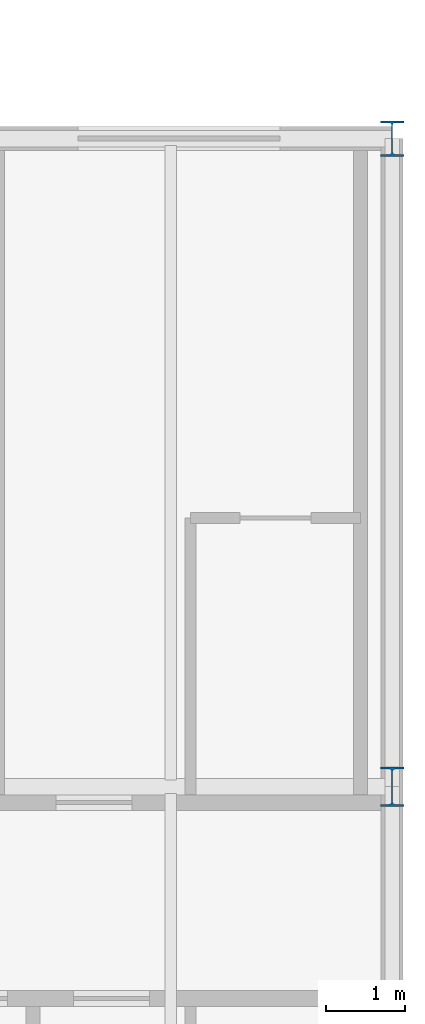
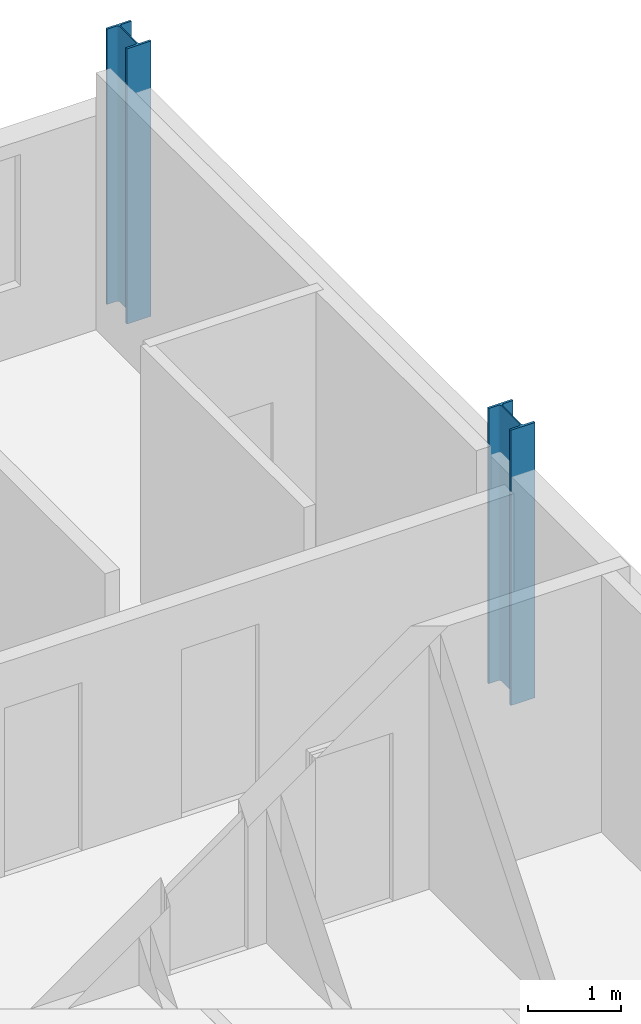
# One storey, part 7 of 36: 2 columns.
"""IFC4 building model written with IfcOpenShell, lengths in metres."""

from ifc_helpers import new_model, si_unit, direction, frame, origin, origin_2d, place, context, subcontext, project, spatial, i_section, extrude, material, material_profile, profile_set, type_object, element, save


model = new_model("IFC4")

# Units and contexts
model_context = context("Model", 3, precision=1e-05, world=origin(), true_north=direction((0.0, 1.0)))
body_context = subcontext(model_context, "Body", "Model", "MODEL_VIEW")
ifc_project = project(units=[si_unit("LENGTHUNIT", "METRE"), si_unit("AREAUNIT", "SQUARE_METRE"), si_unit("VOLUMEUNIT", "CUBIC_METRE"), si_unit("PLANEANGLEUNIT", "RADIAN"), si_unit("MASSUNIT", "GRAM", prefix="KILO")], contexts=[model_context])

# Site, building, storey
site_placement = place(None, origin())
site = spatial("IfcSite", under=ifc_project, at=site_placement, CompositionType="ELEMENT")
building_placement = place(site_placement, origin())
building = spatial("IfcBuilding", under=site, at=building_placement, Name="Sefraquen Railside Congress Hotel", CompositionType="ELEMENT")
storey_placement = place(building_placement, frame((0.0, 0.0, 28.199951171875)))
storey = spatial("IfcBuildingStorey", under=building, at=storey_placement, Name="L06", CompositionType="ELEMENT", Elevation=28.199951171875)

# Columns
ifc_material = material(Name="Steel S355JR", Category="steel")
ifc_material_profile_1 = material_profile(ifc_material, i_section(OverallWidth=0.300048828125, OverallDepth=0.449951171875, WebThickness=0.013916015625, FlangeThickness=0.02587890625, FilletRadius=0.027099609375, at=origin_2d()), Name="HEB 450")
ifc_profile_set_1 = profile_set([ifc_material_profile_1], Name="Steel S355JR")
column_type_1 = type_object("IfcColumnType", Name="TC-HEB-450", PredefinedType="COLUMN", material=ifc_profile_set_1)
column_1_placement = place(storey_placement, frame((120.0, 118.0, 0.0), z_axis=(0.0, 0.0, 1.0), x_axis=(1.0, 0.0, 0.0)))
element("IfcColumn", 1, at=column_1_placement, inside=storey, type_object=column_type_1, Name="Structural column 16-Q L06", PredefinedType="COLUMN", context=body_context, shape_type="SweptSolid", body=[
    extrude(i_section(OverallWidth=0.300048828125, OverallDepth=0.449951171875, WebThickness=0.013916015625, FlangeThickness=0.02587890625, FilletRadius=0.027099609375, at=origin_2d()), origin(), (0.0, 0.0, 1.0), 3.60009765625),
])
ifc_material_profile_2 = material_profile(ifc_material, i_section(OverallWidth=0.300048828125, OverallDepth=0.5, WebThickness=0.014404296875, FlangeThickness=0.028076171875, FilletRadius=0.027099609375, at=origin_2d()), Name="HEB 500")
ifc_profile_set_2 = profile_set([ifc_material_profile_2], Name="Steel S355JR")
column_type_2 = type_object("IfcColumnType", Name="TC-HEB-500", PredefinedType="COLUMN", material=ifc_profile_set_2)
column_2_placement = place(storey_placement, frame((120.0, 109.800048828125, 0.0), z_axis=(0.0, 0.0, 1.0), x_axis=(1.0, 0.0, 0.0)))
element("IfcColumn", 2, at=column_2_placement, inside=storey, type_object=column_type_2, Name="Structural column 16-P L06", PredefinedType="COLUMN", context=body_context, shape_type="SweptSolid", body=[
    extrude(i_section(OverallWidth=0.300048828125, OverallDepth=0.5, WebThickness=0.014404296875, FlangeThickness=0.028076171875, FilletRadius=0.027099609375, at=origin_2d()), origin(), (0.0, 0.0, 1.0), 3.60009765625),
])

save(model, "model.ifc")
